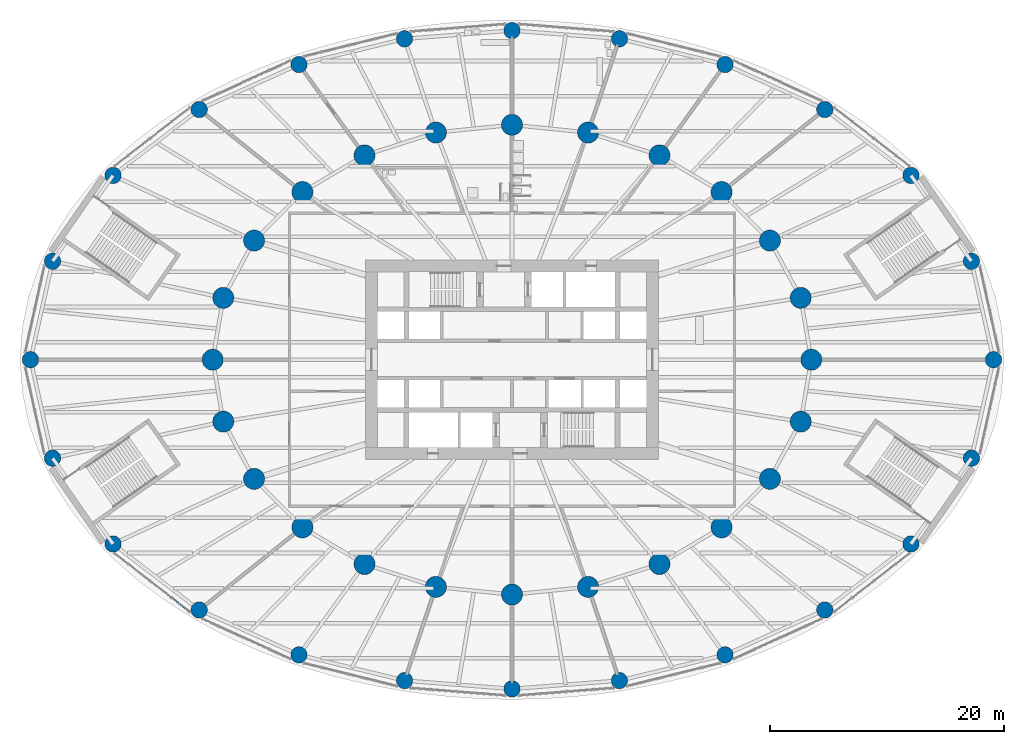
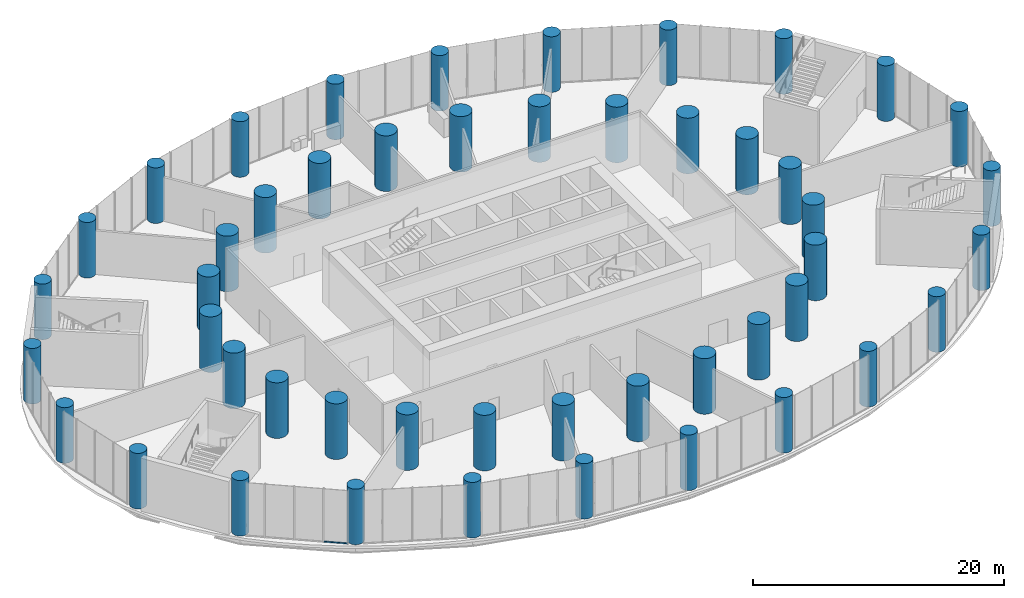
# One storey, part 1 of 23: 48 columns, 1 member, 1 element without a shape of its own.
"""IFC4 building model written with IfcOpenShell, lengths in metres."""

from ifc_helpers import new_model, si_unit, direction, frame, origin, origin_2d, place, context, subcontext, project, spatial, rectangle, circle, extrude, material, material_profile, profile_set, type_object, element, aggregate, save


model = new_model("IFC4")

# Units and contexts
model_context = context("Model", 3, precision=1e-05, world=origin(), true_north=direction((0.0, 1.0)))
body_context = subcontext(model_context, "Body", "Model", "MODEL_VIEW")
ifc_project = project(units=[si_unit("LENGTHUNIT", "METRE"), si_unit("AREAUNIT", "SQUARE_METRE"), si_unit("VOLUMEUNIT", "CUBIC_METRE"), si_unit("PLANEANGLEUNIT", "RADIAN"), si_unit("MASSUNIT", "GRAM", prefix="KILO")], contexts=[model_context])

# Site, building, storey
site_placement = place(None, origin())
site = spatial("IfcSite", under=ifc_project, at=site_placement, CompositionType="ELEMENT")
building_placement = place(site_placement, origin())
building = spatial("IfcBuilding", under=site, at=building_placement, Name="Hankou Lantern Tower", CompositionType="ELEMENT")
storey_placement = place(building_placement, frame((0.0, 0.0, 19.199951171875)))
storey = spatial("IfcBuildingStorey", under=building, at=storey_placement, Name="L03", CompositionType="ELEMENT", Elevation=19.199951171875)

# Columns
ifc_material_1 = material(Name="Concrete C60", Category="concrete")
ifc_material_profile_1 = material_profile(ifc_material_1, circle(Radius=0.699951171875, at=origin_2d()), Name="RC D1400")
ifc_profile_set_1 = profile_set([ifc_material_profile_1], Name="Concrete C60")
column_type_1 = type_object("IfcColumnType", Name="PC1 PODIUM COLUMN RC D1400", PredefinedType="COLUMN", material=ifc_profile_set_1)
for number, where, z_axis, x_axis, name in (
    (1, (41.10009765625, 0.0, 0.0), (0.0, 0.0, 1.0), (1.0, 0.0, 0.0), "Podium column R01 L03"),
    (2, (39.217529296875, 8.40673828125, 0.0), (0.0, 0.0, 1.0), (1.0, 0.0, 0.0), "Podium column R02 L03"),
    (3, (34.056884765625, 15.730224609375, 0.0), (0.0, 0.0, 1.0), (1.0, 0.0, 0.0), "Podium column R03 L03"),
    (4, (26.7021484375, 21.361572265625, 0.0), (0.0, 0.0, 1.0), (1.0, 0.0, 0.0), "Podium column R04 L03"),
    (5, (18.18603515625, 25.199462890625, 0.0), (0.0, 0.0, 1.0), (1.0, 0.0, 0.0), "Podium column R05 L03"),
    (6, (9.17431640625, 27.39111328125, 0.0), (0.0, 0.0, 1.0), (1.0, 0.0, 0.0), "Podium column R06 L03"),
    (7, (0.0, 28.10009765625, 0.0), (0.0, 0.0, 1.0), (1.0, 0.0, 0.0), "Podium column R07 L03"),
    (8, (-9.17431640625, 27.39111328125, 0.0), (0.0, 0.0, 1.0), (1.0, 0.0, 0.0), "Podium column R08 L03"),
    (9, (-18.18603515625, 25.199462890625, 0.0), (0.0, 0.0, 1.0), (1.0, 0.0, 0.0), "Podium column R09 L03"),
    (10, (-26.7021484375, 21.361572265625, 0.0), (0.0, 0.0, 1.0), (1.0, 0.0, 0.0), "Podium column R10 L03"),
    (11, (-34.056884765625, 15.730224609375, 0.0), (0.0, 0.0, 1.0), (1.0, 0.0, 0.0), "Podium column R11 L03"),
    (12, (-39.217529296875, 8.40673828125, 0.0), (0.0, 0.0, 1.0), (1.0, 0.0, 0.0), "Podium column R12 L03"),
    (13, (-41.10009765625, 0.0, 0.0), (0.0, 0.0, 1.0), (1.0, 0.0, 0.0), "Podium column R13 L03"),
    (14, (-39.217529296875, -8.40673828125, 0.0), (0.0, 0.0, 1.0), (1.0, 0.0, 0.0), "Podium column R14 L03"),
    (15, (-34.056884765625, -15.730224609375, 0.0), (0.0, 0.0, 1.0), (1.0, 0.0, 0.0), "Podium column R15 L03"),
    (16, (-26.7021484375, -21.361572265625, 0.0), (0.0, 0.0, 1.0), (1.0, 0.0, 0.0), "Podium column R16 L03"),
    (17, (-18.18603515625, -25.199462890625, 0.0), (0.0, 0.0, 1.0), (1.0, 0.0, 0.0), "Podium column R17 L03"),
    (18, (-9.17431640625, -27.39111328125, 0.0), (0.0, 0.0, 1.0), (1.0, 0.0, 0.0), "Podium column R18 L03"),
    (19, (0.0, -28.10009765625, 0.0), (0.0, 0.0, 1.0), (1.0, 0.0, 0.0), "Podium column R19 L03"),
    (20, (9.17431640625, -27.39111328125, 0.0), (0.0, 0.0, 1.0), (1.0, 0.0, 0.0), "Podium column R20 L03"),
    (21, (18.18603515625, -25.199462890625, 0.0), (0.0, 0.0, 1.0), (1.0, 0.0, 0.0), "Podium column R21 L03"),
    (22, (26.7021484375, -21.361572265625, 0.0), (0.0, 0.0, 1.0), (1.0, 0.0, 0.0), "Podium column R22 L03"),
    (23, (34.056884765625, -15.730224609375, 0.0), (0.0, 0.0, 1.0), (1.0, 0.0, 0.0), "Podium column R23 L03"),
    (24, (39.217529296875, -8.40673828125, 0.0), (0.0, 0.0, 1.0), (1.0, 0.0, 0.0), "Podium column R24 L03"),
):
    element("IfcColumn", number, at=place(storey_placement, frame(where, z_axis=z_axis, x_axis=x_axis)), inside=storey, type_object=column_type_1, Name=name, PredefinedType="COLUMN", context=body_context, shape_type="SweptSolid", body=[
        extrude(circle(Radius=0.699951171875, at=origin_2d()), origin(), (0.0, 0.0, 1.0), 5.400146484375),
    ])
ifc_material_2 = material(Name="Concrete C60", Category="concrete")
ifc_material_profile_2 = material_profile(ifc_material_2, circle(Radius=0.89990234375, at=origin_2d()), Name="RC D1800")
ifc_profile_set_2 = profile_set([ifc_material_profile_2], Name="Concrete C60")
column_type_2 = type_object("IfcColumnType", Name="TC1 PERIMETER COLUMN RC D1800", PredefinedType="COLUMN", material=ifc_profile_set_2)
for number, where, z_axis, x_axis, name in (
    (25, (25.550048828125, 0.0, 0.0), (0.0, 0.0, 1.0), (1.0, 0.0, 0.0), "Column R01 L03"),
    (26, (24.64697265625, 5.283203125, 0.0), (0.0, 0.0, 1.0), (1.0, 0.0, 0.0), "Column R02 L03"),
    (27, (22.01904296875, 10.170166015625, 0.0), (0.0, 0.0, 1.0), (1.0, 0.0, 0.0), "Column R03 L03"),
    (28, (17.891845703125, 14.3134765625, 0.0), (0.0, 0.0, 1.0), (1.0, 0.0, 0.0), "Column R04 L03"),
    (29, (12.5908203125, 17.446533203125, 0.0), (0.0, 0.0, 1.0), (1.0, 0.0, 0.0), "Column R05 L03"),
    (30, (6.494873046875, 19.391357421875, 0.0), (0.0, 0.0, 1.0), (1.0, 0.0, 0.0), "Column R06 L03"),
    (31, (0.0, 20.050048828125, 0.0), (0.0, 0.0, 1.0), (1.0, 0.0, 0.0), "Column R07 L03"),
    (32, (-6.494873046875, 19.391357421875, 0.0), (0.0, 0.0, 1.0), (1.0, 0.0, 0.0), "Column R08 L03"),
    (33, (-12.5908203125, 17.446533203125, 0.0), (0.0, 0.0, 1.0), (1.0, 0.0, 0.0), "Column R09 L03"),
    (34, (-17.891845703125, 14.3134765625, 0.0), (0.0, 0.0, 1.0), (1.0, 0.0, 0.0), "Column R10 L03"),
    (35, (-22.01904296875, 10.170166015625, 0.0), (0.0, 0.0, 1.0), (1.0, 0.0, 0.0), "Column R11 L03"),
    (36, (-24.64697265625, 5.283203125, 0.0), (0.0, 0.0, 1.0), (1.0, 0.0, 0.0), "Column R12 L03"),
    (37, (-25.550048828125, 0.0, 0.0), (0.0, 0.0, 1.0), (1.0, 0.0, 0.0), "Column R13 L03"),
    (38, (-24.64697265625, -5.283203125, 0.0), (0.0, 0.0, 1.0), (1.0, 0.0, 0.0), "Column R14 L03"),
    (39, (-22.01904296875, -10.170166015625, 0.0), (0.0, 0.0, 1.0), (1.0, 0.0, 0.0), "Column R15 L03"),
    (40, (-17.891845703125, -14.3134765625, 0.0), (0.0, 0.0, 1.0), (1.0, 0.0, 0.0), "Column R16 L03"),
    (41, (-12.5908203125, -17.446533203125, 0.0), (0.0, 0.0, 1.0), (1.0, 0.0, 0.0), "Column R17 L03"),
    (42, (-6.494873046875, -19.391357421875, 0.0), (0.0, 0.0, 1.0), (1.0, 0.0, 0.0), "Column R18 L03"),
    (43, (0.0, -20.050048828125, 0.0), (0.0, 0.0, 1.0), (1.0, 0.0, 0.0), "Column R19 L03"),
    (44, (6.494873046875, -19.391357421875, 0.0), (0.0, 0.0, 1.0), (1.0, 0.0, 0.0), "Column R20 L03"),
    (45, (12.5908203125, -17.446533203125, 0.0), (0.0, 0.0, 1.0), (1.0, 0.0, 0.0), "Column R21 L03"),
    (46, (17.891845703125, -14.3134765625, 0.0), (0.0, 0.0, 1.0), (1.0, 0.0, 0.0), "Column R22 L03"),
    (47, (22.01904296875, -10.170166015625, 0.0), (0.0, 0.0, 1.0), (1.0, 0.0, 0.0), "Column R23 L03"),
    (48, (24.64697265625, -5.283203125, 0.0), (0.0, 0.0, 1.0), (1.0, 0.0, 0.0), "Column R24 L03"),
):
    element("IfcColumn", number, at=place(storey_placement, frame(where, z_axis=z_axis, x_axis=x_axis)), inside=storey, type_object=column_type_2, Name=name, PredefinedType="COLUMN", context=body_context, shape_type="SweptSolid", body=[
        extrude(circle(Radius=0.89990234375, at=origin_2d()), origin(), (0.0, 0.0, 1.0), 5.400146484375),
    ])

# Curtain wall, member
ifc_material_3 = material(Name="Glass, dark grey tinted laminated", Category="glass")
curtain_wall_type = type_object("IfcCurtainWallType", Name="CWP PODIUM CURTAIN WALL", PredefinedType="USERDEFINED", material=ifc_material_3)
curtain_wall_placement = place(storey_placement, origin())
curtain_wall = element("IfcCurtainWall", 49, at=curtain_wall_placement, inside=storey, type_object=curtain_wall_type, Name="CWP L03 PC11", ObjectType="PODIUM GLAZING", PredefinedType="USERDEFINED")
ifc_material_4 = material(Name="Aluminium, black anodised", Category="aluminium")
ifc_material_profile_3 = material_profile(ifc_material_4, rectangle(XDim=0.14990234375, YDim=0.080078125, at=origin_2d()), Name="TR2 150X80")
ifc_profile_set_3 = profile_set([ifc_material_profile_3], Name="Aluminium, black anodised")
member_type = type_object("IfcMemberType", Name="TR2 PODIUM TRANSOM 150X80", PredefinedType="USERDEFINED", material=ifc_profile_set_3)
member_placement = place(storey_placement, frame((-29.021484375, -20.340087890625, 0.0400390625), z_axis=(0.790098015443, -0.612980526601, 0.0), x_axis=(0.612980526601, 0.790098015443, 0.0)))
member = element("IfcMember", 50, at=member_placement, type_object=member_type, Name="CWP transom 4", ObjectType="TRANSOM", PredefinedType="USERDEFINED", context=body_context, shape_type="SweptSolid", body=[
    extrude(rectangle(XDim=0.14990234375, YDim=0.080078125, at=origin_2d()), origin(), (0.0, 0.0, 1.0), 1.902099609375),
])
aggregate(curtain_wall, [member])

save(model, "model.ifc")
